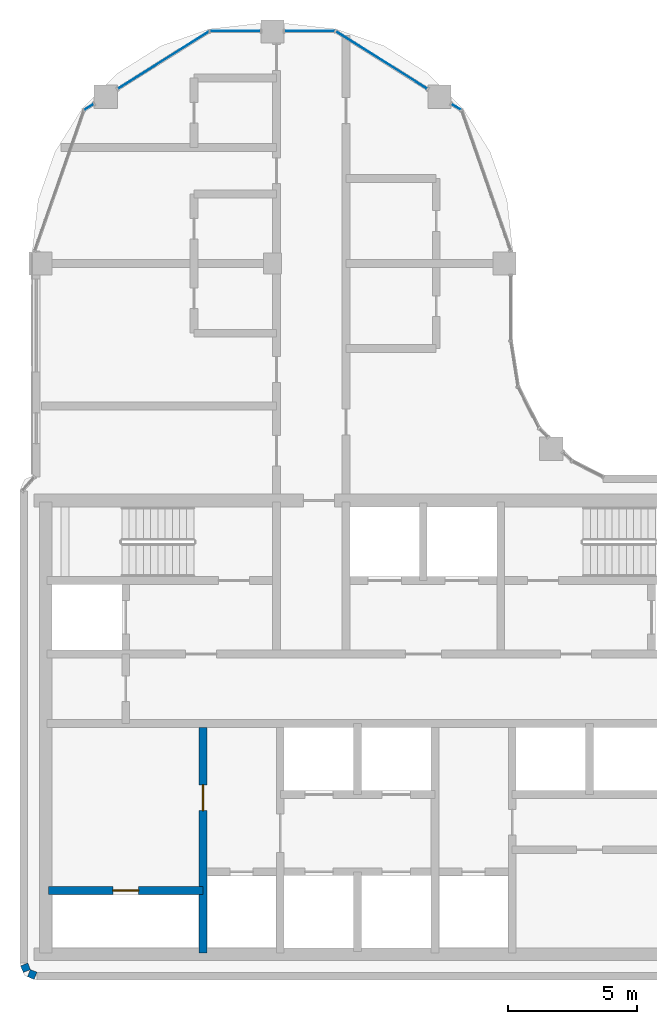
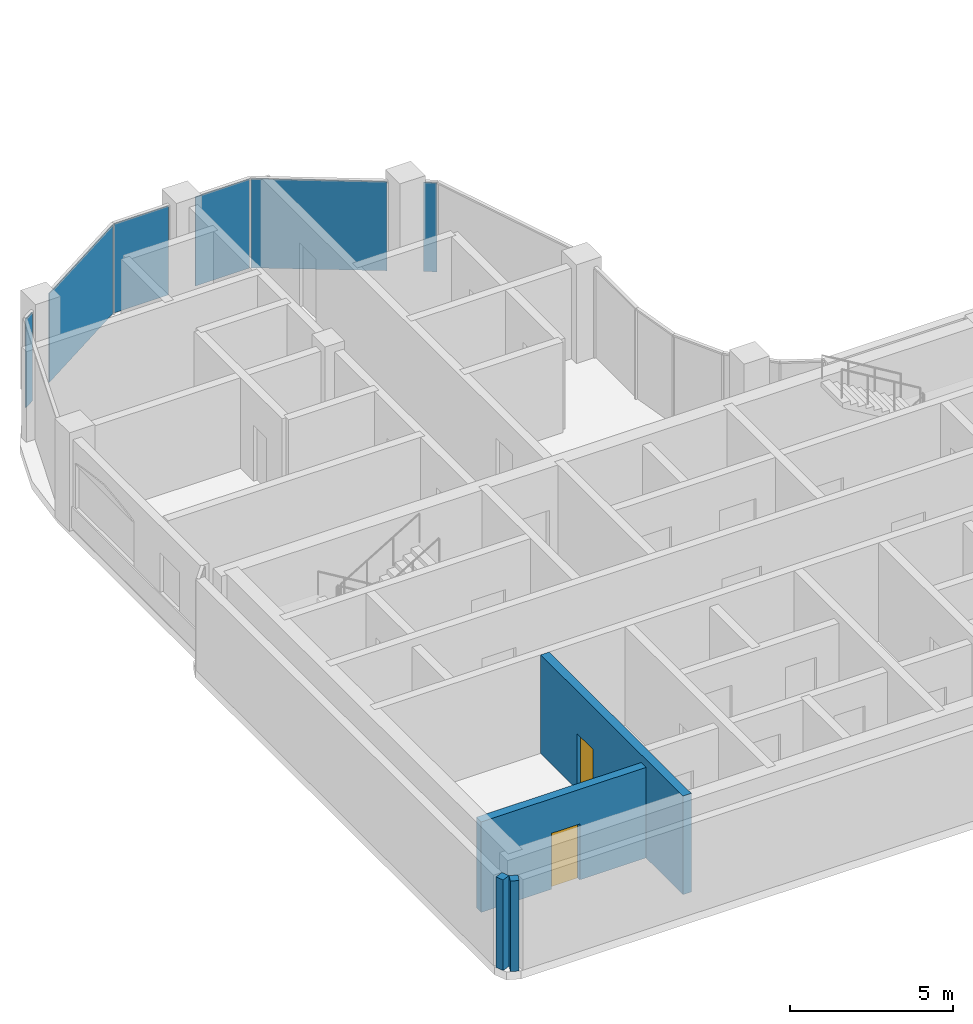
# One storey, part 8 of 17: 6 plates, 4 walls, 2 doors, 2 openings, 4 elements without a shape of their own.
"""IFC4 building model written with IfcOpenShell, lengths in metres."""

from ifc_helpers import new_model, si_unit, direction, frame, frame_2d, origin, origin_2d, place, context, subcontext, project, spatial, rectangle, extrude, material, layer, layer_set, type_object, element, fill, aggregate, save


model = new_model("IFC4")

# Units and contexts
model_context = context("Model", 3, precision=1e-05, world=origin(), true_north=direction((0.0, 1.0)))
body_context = subcontext(model_context, "Body", "Model", "MODEL_VIEW")
ifc_project = project(units=[si_unit("LENGTHUNIT", "METRE"), si_unit("AREAUNIT", "SQUARE_METRE"), si_unit("VOLUMEUNIT", "CUBIC_METRE"), si_unit("PLANEANGLEUNIT", "RADIAN"), si_unit("MASSUNIT", "GRAM", prefix="KILO")], contexts=[model_context])

# Site, building, storey
site_placement = place(None, origin())
site = spatial("IfcSite", under=ifc_project, at=site_placement, CompositionType="ELEMENT")
building_placement = place(site_placement, origin())
building = spatial("IfcBuilding", under=site, at=building_placement, Name="Ogive Portal Towers", CompositionType="ELEMENT")
storey_placement = place(building_placement, frame((0.0, 0.0, 221.699951171875)))
storey = spatial("IfcBuildingStorey", under=building, at=storey_placement, Name="L55", CompositionType="ELEMENT", Elevation=221.699951171875)

# Curtain wall, plate
ifc_material_1 = material(Name="Glass, clear low-iron insulated glazing", Category="glass")
curtain_wall_type = type_object("IfcCurtainWallType", Name="CW FRONT RIBBON 4500", PredefinedType="NOTDEFINED", material=ifc_material_1)
curtain_wall_1_placement = place(storey_placement, origin())
curtain_wall_1 = element("IfcCurtainWall", 1, at=curtain_wall_1_placement, inside=storey, type_object=curtain_wall_type, Name="A:L55:f07:cwa~0", PredefinedType="NOTDEFINED")
ifc_layer_1 = layer(ifc_material_1, 0.028076171875)
ifc_layer_set_1 = layer_set([ifc_layer_1], Name="CW PANEL IGU 28")
plate_type = type_object("IfcPlateType", Name="CW PANEL IGU 28", PredefinedType="CURTAIN_PANEL", material=ifc_layer_set_1)
plate_1_placement = place(storey_placement, frame((47.626220703125, 54.573974609375, 0.0), z_axis=(0.0, 0.0, 1.0), x_axis=(-0.846724199227, 0.532032076517, 0.0)))
plate_1 = element("IfcPlate", 2, at=plate_1_placement, type_object=plate_type, Name="panel", PredefinedType="CURTAIN_PANEL", context=body_context, shape_type="SweptSolid", body=[
    extrude(rectangle(XDim=0.420166015625, YDim=0.028076171875, at=origin_2d()), origin(), (0.0, 0.0, 1.0), 3.340087890625),
])
aggregate(curtain_wall_1, [plate_1])

# Curtain wall, plates
curtain_wall_2_placement = place(storey_placement, origin())
curtain_wall_2 = element("IfcCurtainWall", 3, at=curtain_wall_2_placement, inside=storey, type_object=curtain_wall_type, Name="A:L55:f07:cwa~1", PredefinedType="NOTDEFINED")
plate_2_placement = place(storey_placement, frame((44.731201171875, 56.39306640625, 0.0), z_axis=(0.0, 0.0, 1.0), x_axis=(-0.846724199227, 0.532032076517, 0.0)))
plate_2 = element("IfcPlate", 4, at=plate_2_placement, type_object=plate_type, Name="panel", PredefinedType="CURTAIN_PANEL", context=body_context, shape_type="SweptSolid", body=[
    extrude(rectangle(XDim=4.172119140625, YDim=0.028076171875, at=origin_2d()), origin(), (0.0, 0.0, 1.0), 3.340087890625),
])
plate_3_placement = place(storey_placement, frame((41.94482421875, 57.518798828125, 0.0), z_axis=(0.0, 0.0, 1.0), x_axis=(-1.0, 0.0, 0.0)))
plate_3 = element("IfcPlate", 5, at=plate_3_placement, type_object=plate_type, Name="panel", PredefinedType="CURTAIN_PANEL", context=body_context, shape_type="SweptSolid", body=[
    extrude(rectangle(XDim=1.9296875, YDim=0.028076171875, at=origin_2d()), origin(), (0.0, 0.0, 1.0), 3.340087890625),
])
aggregate(curtain_wall_2, [plate_2, plate_3])

curtain_wall_3_placement = place(storey_placement, origin())
curtain_wall_3 = element("IfcCurtainWall", 6, at=curtain_wall_3_placement, inside=storey, type_object=curtain_wall_type, Name="A:L55:f07:cwa~2", PredefinedType="NOTDEFINED")
plate_4_placement = place(storey_placement, frame((39.05517578125, 57.518798828125, 0.0), z_axis=(0.0, 0.0, 1.0), x_axis=(-1.0, 0.0, 0.0)))
plate_4 = element("IfcPlate", 7, at=plate_4_placement, type_object=plate_type, Name="panel", PredefinedType="CURTAIN_PANEL", context=body_context, shape_type="SweptSolid", body=[
    extrude(rectangle(XDim=1.9296875, YDim=0.028076171875, at=origin_2d()), origin(), (0.0, 0.0, 1.0), 3.340087890625),
])
plate_5_placement = place(storey_placement, frame((36.268798828125, 56.39306640625, 0.0), z_axis=(0.0, 0.0, 1.0), x_axis=(-0.846724199227, -0.532032076517, 0.0)))
plate_5 = element("IfcPlate", 8, at=plate_5_placement, type_object=plate_type, Name="panel", PredefinedType="CURTAIN_PANEL", context=body_context, shape_type="SweptSolid", body=[
    extrude(rectangle(XDim=4.172119140625, YDim=0.028076171875, at=origin_2d()), origin(), (0.0, 0.0, 1.0), 3.340087890625),
])
aggregate(curtain_wall_3, [plate_4, plate_5])

# Curtain wall, plate
curtain_wall_4_placement = place(storey_placement, origin())
curtain_wall_4 = element("IfcCurtainWall", 9, at=curtain_wall_4_placement, inside=storey, type_object=curtain_wall_type, Name="A:L55:f07:cwa~3", PredefinedType="NOTDEFINED")
plate_6_placement = place(storey_placement, frame((33.373779296875, 54.573974609375, 0.0), z_axis=(0.0, 0.0, 1.0), x_axis=(-0.846724199227, -0.532032076517, 0.0)))
plate_6 = element("IfcPlate", 10, at=plate_6_placement, type_object=plate_type, Name="panel", PredefinedType="CURTAIN_PANEL", context=body_context, shape_type="SweptSolid", body=[
    extrude(rectangle(XDim=0.420166015625, YDim=0.028076171875, at=origin_2d()), origin(), (0.0, 0.0, 1.0), 3.340087890625),
])
aggregate(curtain_wall_4, [plate_6])

# Wall, opening, door
ifc_material_2 = material(Name="Concrete C60/75", Category="concrete")
ifc_layer_2 = layer(ifc_material_2, 0.300048828125)
ifc_layer_set_2 = layer_set([ifc_layer_2], Name="CORE WALL 300 C60")
wall_type_1 = type_object("IfcWallType", Name="CORE WALL 300 C60", PredefinedType="SHEAR", material=ifc_layer_set_2)
wall_1_placement = place(storey_placement, frame((37.800048828125, 21.75, 0.0), z_axis=(0.0, 0.0, 1.0), x_axis=(0.0, 1.0, 0.0)))
wall_1 = element("IfcWall", 11, at=wall_1_placement, inside=storey, type_object=wall_type_1, Name="Core wall X1 L55", PredefinedType="SHEAR", context=body_context, shape_type="SweptSolid", body=[
    extrude(rectangle(XDim=8.75, YDim=0.300048828125, at=frame_2d((4.375, 0.0))), origin(), (0.0, 0.0, 1.0), 3.699951171875),
])
opening_1_placement = place(wall_1_placement, frame((5.52490234375, 0.0, 0.0)))
opening_1 = element("IfcOpeningElement", 12, at=opening_1_placement, cuts=wall_1, Name="Opening D24-020", PredefinedType="OPENING", context=body_context, shape_type="SweptSolid", body=[
    extrude(rectangle(XDim=1.0, YDim=2.10009765625, at=frame_2d((0.5, 1.050048828125))), frame((0.0, 0.16015625, 0.0), z_axis=(0.0, -1.0, 0.0), x_axis=(1.0, 0.0, 0.0)), (0.0, 0.0, 1.0), 0.320068359375),
])
ifc_material_3 = material(Name="Steel fire door", Category="steel")
door_type_1 = type_object("IfcDoorType", Name="DT-SWING-1000x2100-FD90S", OperationType="SINGLE_SWING_LEFT", PredefinedType="DOOR", material=ifc_material_3)
door_1_placement = place(opening_1_placement, origin())
door_1 = element("IfcDoor", 13, at=door_1_placement, inside=storey, type_object=door_type_1, Name="Door D24-020", OperationType="SINGLE_SWING_LEFT", OverallHeight=2.10009765625, OverallWidth=1.0, PredefinedType="DOOR", context=body_context, shape_type="SweptSolid", body=[
    extrude(rectangle(XDim=1.0, YDim=2.10009765625, at=frame_2d((0.5, 1.050048828125))), frame((0.0, 0.02490234375, 0.0), z_axis=(0.0, -1.0, 0.0), x_axis=(1.0, 0.0, 0.0)), (0.0, 0.0, 1.0), 0.050048828125),
])
fill(opening_1, door_1)

# Walls
ifc_material_4 = material(Name="Limestone cladding on lightweight block wall", Category="masonry")
ifc_layer_3 = layer(ifc_material_4, 0.300048828125)
ifc_layer_set_3 = layer_set([ifc_layer_3], Name="EXTERNAL WALL 300 STONE")
wall_type_2 = type_object("IfcWallType", Name="EXTERNAL WALL 300 STONE", PredefinedType="SOLIDWALL", material=ifc_layer_set_3)
for number, where, z_axis, x_axis, name in (
    (14, (30.861328125, 21.30224609375, 0.0), (0.0, 0.0, 1.0), (0.38297812142, -0.923757413239, 0.0), "A:L55:f15:r0:wall"),
    (15, (31.0478515625, 20.966796875, 0.0), (0.0, 0.0, 1.0), (0.923757413239, -0.38297812142, 0.0), "A:L55:f16:r0:wall"),
):
    element("IfcWall", number, at=place(storey_placement, frame(where, z_axis=z_axis, x_axis=x_axis)), inside=storey, type_object=wall_type_2, Name=name, PredefinedType="SOLIDWALL", context=body_context, shape_type="SweptSolid", body=[
        extrude(rectangle(XDim=0.275390625, YDim=0.300048828125, at=frame_2d((0.1376953125, 0.0))), origin(), (0.0, 0.0, 1.0), 3.400146484375),
    ])

# Wall, opening, door
ifc_material_5 = material(Name="Gypsum board partition on steel studs", Category="steel")
ifc_layer_4 = layer(ifc_material_5, 0.300048828125)
ifc_layer_set_4 = layer_set([ifc_layer_4], Name="WT-PART-300")
wall_type_3 = type_object("IfcWallType", Name="WT-PART-300", PredefinedType="PARTITIONING", material=ifc_layer_set_4)
wall_2_placement = place(storey_placement, frame((31.800048828125, 24.173095703125, 0.0), z_axis=(0.0, 0.0, 1.0), x_axis=(1.0, 0.0, 0.0)))
wall_2 = element("IfcWall", 16, at=wall_2_placement, inside=storey, type_object=wall_type_3, Name="Wall pw:001:L55", PredefinedType="PARTITIONING", context=body_context, shape_type="SweptSolid", body=[
    extrude(rectangle(XDim=6.0, YDim=0.300048828125, at=frame_2d((3.0, 0.0))), origin(), (0.0, 0.0, 1.0), 3.400146484375),
])
opening_2_placement = place(wall_2_placement, frame((2.5, 0.0, 0.0)))
opening_2 = element("IfcOpeningElement", 17, at=opening_2_placement, cuts=wall_2, Name="Opening D24-021", PredefinedType="OPENING", context=body_context, shape_type="SweptSolid", body=[
    extrude(rectangle(XDim=1.0, YDim=2.10009765625, at=frame_2d((0.5, 1.050048828125))), frame((0.0, 0.16015625, 0.0), z_axis=(0.0, -1.0, 0.0), x_axis=(1.0, 0.0, 0.0)), (0.0, 0.0, 1.0), 0.320068359375),
])
door_type_2 = type_object("IfcDoorType", Name="DT-SWING-1000x2100-FD60S", OperationType="SINGLE_SWING_LEFT", PredefinedType="DOOR", material=ifc_material_3)
door_2_placement = place(opening_2_placement, origin())
door_2 = element("IfcDoor", 18, at=door_2_placement, inside=storey, type_object=door_type_2, Name="Riser access door D24-021", OperationType="SINGLE_SWING_RIGHT", OverallHeight=2.10009765625, OverallWidth=1.0, PredefinedType="DOOR", context=body_context, shape_type="SweptSolid", body=[
    extrude(rectangle(XDim=1.0, YDim=2.10009765625, at=frame_2d((0.5, 1.050048828125))), frame((0.0, 0.02490234375, 0.0), z_axis=(0.0, -1.0, 0.0), x_axis=(1.0, 0.0, 0.0)), (0.0, 0.0, 1.0), 0.050048828125),
])
fill(opening_2, door_2)

save(model, "model.ifc")
